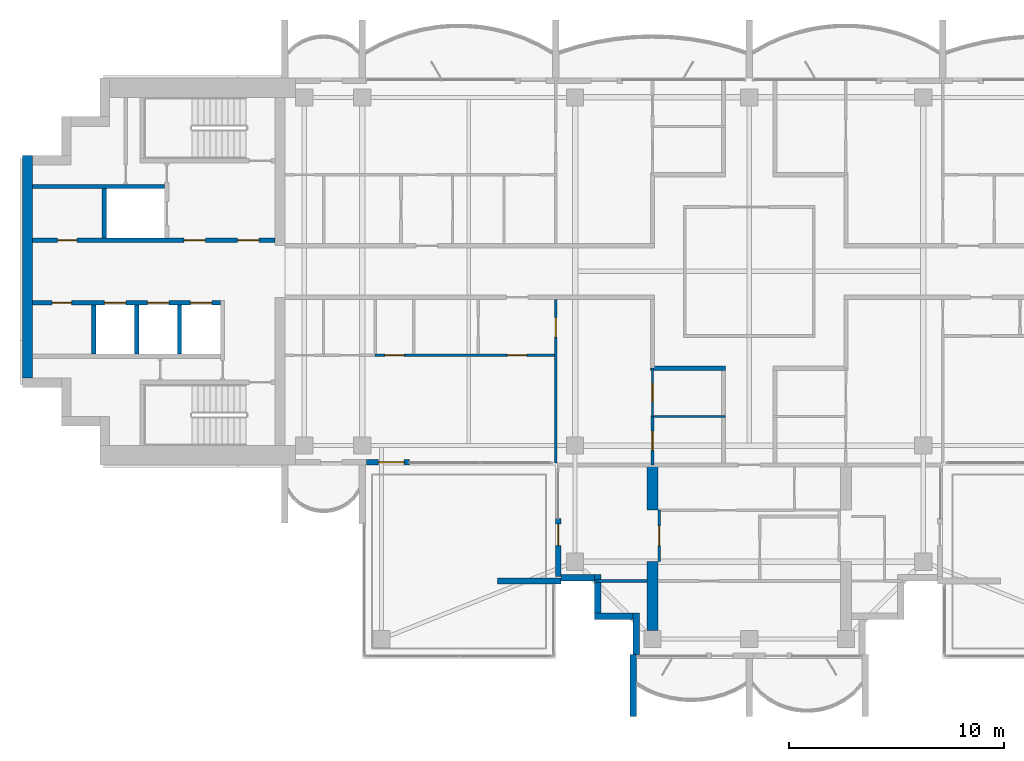
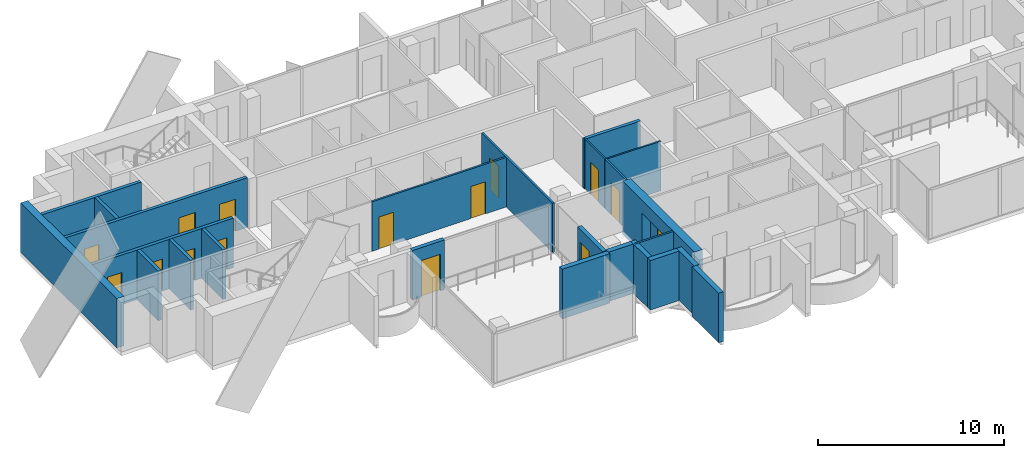
# One storey, part 7 of 16: 25 walls, 15 doors, 15 openings.
"""IFC4 building model written with IfcOpenShell, lengths in metres."""

from ifc_helpers import new_model, si_unit, direction, frame, frame_2d, origin, place, context, subcontext, project, spatial, polyline, rectangle, outline, extrude, material, layer, layer_set, material_profile, profile_set, type_object, element, fill, save


model = new_model("IFC4")

# Units and contexts
model_context = context("Model", 3, precision=1e-05, world=origin(), true_north=direction((0.0, 1.0)))
body_context = subcontext(model_context, "Body", "Model", "MODEL_VIEW")
ifc_project = project(units=[si_unit("LENGTHUNIT", "METRE"), si_unit("AREAUNIT", "SQUARE_METRE"), si_unit("VOLUMEUNIT", "CUBIC_METRE"), si_unit("PLANEANGLEUNIT", "RADIAN"), si_unit("MASSUNIT", "GRAM", prefix="KILO")], contexts=[model_context])

# Site, building, storey
site_placement = place(None, origin())
site = spatial("IfcSite", under=ifc_project, at=site_placement, CompositionType="ELEMENT")
building_placement = place(site_placement, origin())
building = spatial("IfcBuilding", under=site, at=building_placement, Name="Perihelion Cross Residences", CompositionType="ELEMENT")
storey_placement = place(building_placement, frame((0.0, 0.0, 239.5)))
storey = spatial("IfcBuildingStorey", under=building, at=storey_placement, Name="L60", CompositionType="ELEMENT", Elevation=239.5)

# Wall
ifc_material_1 = material(Name="Plasterboard partition")
ifc_layer_1 = layer(ifc_material_1, 0.199951171875)
ifc_layer_set_1 = layer_set([ifc_layer_1], Name="Apartment separation wall 200")
wall_type_1 = type_object("IfcWallType", Name="Apartment separation wall 200", PredefinedType="PARTITIONING", material=ifc_layer_set_1)
wall_1_placement = place(storey_placement, frame((-1.10009765625, -4.5, 0.0), z_axis=(0.0, 0.0, 1.0), x_axis=(-1.0, 0.0, 0.0)))
element("IfcWall", 1, at=wall_1_placement, inside=storey, type_object=wall_type_1, Name="Partition L60 W020", PredefinedType="PARTITIONING", context=body_context, shape_type="SweptSolid", body=[
    extrude(rectangle(XDim=3.5, YDim=0.199951171875, at=frame_2d((1.75, 0.0))), origin(), (0.0, 0.0, 1.0), 3.25),
])

# Wall, opening, door
ifc_material_2 = material(Name="Concrete C30/37, bronze-clad", Category="concrete")
ifc_layer_2 = layer(ifc_material_2, 0.25)
ifc_layer_set_2 = layer_set([ifc_layer_2], Name="Bronze-clad pier wall 250")
wall_type_2 = type_object("IfcWallType", Name="Bronze-clad pier wall 250", PredefinedType="SOLIDWALL", material=ifc_layer_set_2)
wall_2_placement = place(storey_placement, frame((-17.800048828125, -8.875, 0.0), z_axis=(0.0, 0.0, 1.0), x_axis=(1.0, 0.0, 0.0)))
wall_2 = element("IfcWall", 2, at=wall_2_placement, inside=storey, type_object=wall_type_2, Name="Wall FW1 L60 west side south bay 2 pier", PredefinedType="SOLIDWALL", context=body_context, shape_type="SweptSolid", body=[
    extrude(rectangle(XDim=2.0, YDim=0.25, at=frame_2d((1.0, 0.0))), origin(), (0.0, 0.0, 1.0), 3.25),
])
opening_1_placement = place(wall_2_placement, frame((0.550048828125, 0.0, 0.0)))
opening_1 = element("IfcOpeningElement", 3, at=opening_1_placement, cuts=wall_2, Name="Opening L60.E08", PredefinedType="OPENING", context=body_context, shape_type="SweptSolid", body=[
    extrude(rectangle(XDim=1.199951171875, YDim=2.39990234375, at=frame_2d((0.60009765625, 1.199951171875))), frame((0.0, 0.135009765625, 0.0), z_axis=(0.0, -1.0, 0.0), x_axis=(1.0, 0.0, 0.0)), (0.0, 0.0, 1.0), 0.27001953125),
])
ifc_material_3 = material(Name="Bronze anodised aluminium, glazed", Category="aluminium")
door_type_1 = type_object("IfcDoorType", Name="Balcony door 1200 x 2400", OperationType="NOTDEFINED", PredefinedType="DOOR", material=ifc_material_3)
door_1_placement = place(opening_1_placement, origin())
door_1 = element("IfcDoor", 4, at=door_1_placement, inside=storey, type_object=door_type_1, Name="Door L60.E08 west side south bay 2", OperationType="SINGLE_SWING_RIGHT", OverallHeight=2.39990234375, OverallWidth=1.199951171875, PredefinedType="DOOR", context=body_context, shape_type="SweptSolid", body=[
    extrude(rectangle(XDim=1.199951171875, YDim=2.39990234375, at=frame_2d((0.60009765625, 1.199951171875))), frame((0.0, 0.02490234375, 0.0), z_axis=(0.0, -1.0, 0.0), x_axis=(1.0, 0.0, 0.0)), (0.0, 0.0, 1.0), 0.050048828125),
])
fill(opening_1, door_1)

wall_3_placement = place(storey_placement, frame((-8.875, -11.5, 0.0), z_axis=(0.0, 0.0, 1.0), x_axis=(0.0, -1.0, 0.0)))
wall_3 = element("IfcWall", 5, at=wall_3_placement, inside=storey, type_object=wall_type_2, Name="Wall FW1 L60 south side west bay 1 pier", PredefinedType="SOLIDWALL", context=body_context, shape_type="SweptSolid", body=[
    extrude(rectangle(XDim=2.699951171875, YDim=0.25, at=frame_2d((1.35009765625, 0.0))), origin(), (0.0, 0.0, 1.0), 3.25),
])
opening_2_placement = place(wall_3_placement, frame((0.25, 0.0, 0.0)))
opening_2 = element("IfcOpeningElement", 6, at=opening_2_placement, cuts=wall_3, Name="Opening L60.E09", PredefinedType="OPENING", context=body_context, shape_type="SweptSolid", body=[
    extrude(rectangle(XDim=1.0, YDim=2.39990234375, at=frame_2d((0.5, 1.199951171875))), frame((0.0, 0.135009765625, 0.0), z_axis=(0.0, -1.0, 0.0), x_axis=(1.0, 0.0, 0.0)), (0.0, 0.0, 1.0), 0.27001953125),
])
ifc_material_4 = material(Name="Bronze anodised aluminium, glazed", Category="aluminium")
door_type_2 = type_object("IfcDoorType", Name="Balcony door 1000 x 2400", OperationType="NOTDEFINED", PredefinedType="DOOR", material=ifc_material_4)
door_2_placement = place(opening_2_placement, origin())
door_2 = element("IfcDoor", 7, at=door_2_placement, inside=storey, type_object=door_type_2, Name="Door L60.E09 south side west bay 1", OperationType="SINGLE_SWING_LEFT", OverallHeight=2.39990234375, OverallWidth=1.0, PredefinedType="DOOR", context=body_context, shape_type="SweptSolid", body=[
    extrude(rectangle(XDim=1.0, YDim=2.39990234375, at=frame_2d((0.5, 1.199951171875))), frame((0.0, 0.02490234375, 0.0), z_axis=(0.0, -1.0, 0.0), x_axis=(1.0, 0.0, 0.0)), (0.0, 0.0, 1.0), 0.050048828125),
])
fill(opening_2, door_2)

# Walls
ifc_material_5 = material(Name="Concrete C30/37, bronze-clad", Category="concrete")
ifc_layer_3 = layer(ifc_material_5, 0.300048828125)
ifc_layer_set_3 = layer_set([ifc_layer_3], Name="Bronze-clad serration wall 300")
wall_type_3 = type_object("IfcWallType", Name="Bronze-clad serration wall 300", PredefinedType="SOLIDWALL", material=ifc_layer_set_3)
wall_4_placement = place(storey_placement, frame((-8.75, -14.25, 0.0), z_axis=(0.0, 0.0, 1.0), x_axis=(1.0, 0.0, 0.0)))
element("IfcWall", 8, at=wall_4_placement, inside=storey, type_object=wall_type_3, Name="Wall SR1 L60 south corner south-west 1", PredefinedType="SOLIDWALL", context=body_context, shape_type="SweptSolid", body=[
    extrude(rectangle(XDim=1.550048828125, YDim=0.300048828125, at=frame_2d((0.77490234375, 0.0))), origin(), (0.0, 0.0, 1.0), 3.25),
])
wall_5_placement = place(storey_placement, frame((-7.050048828125, -14.10009765625, 0.0), z_axis=(0.0, 0.0, 1.0), x_axis=(0.0, -1.0, 0.0)))
element("IfcWall", 9, at=wall_5_placement, inside=storey, type_object=wall_type_3, Name="Wall SR1 L60 south corner south-west 2", PredefinedType="SOLIDWALL", context=body_context, shape_type="SweptSolid", body=[
    extrude(rectangle(XDim=1.7998046875, YDim=0.300048828125, at=frame_2d((0.89990234375, 0.0))), origin(), (0.0, 0.0, 1.0), 3.25),
])
wall_6_placement = place(storey_placement, frame((-7.199951171875, -16.050048828125, 0.0), z_axis=(0.0, 0.0, 1.0), x_axis=(1.0, 0.0, 0.0)))
element("IfcWall", 10, at=wall_6_placement, inside=storey, type_object=wall_type_3, Name="Wall SR1 L60 south corner south-west 3", PredefinedType="SOLIDWALL", context=body_context, shape_type="SweptSolid", body=[
    extrude(rectangle(XDim=1.800048828125, YDim=0.300048828125, at=frame_2d((0.89990234375, 0.0))), origin(), (0.0, 0.0, 1.0), 3.25),
])
wall_7_placement = place(storey_placement, frame((-5.25, -15.89990234375, 0.0), z_axis=(0.0, 0.0, 1.0), x_axis=(0.0, -1.0, 0.0)))
element("IfcWall", 11, at=wall_7_placement, inside=storey, type_object=wall_type_3, Name="Wall SR1 L60 south corner south-west 4", PredefinedType="SOLIDWALL", context=body_context, shape_type="SweptSolid", body=[
    extrude(rectangle(XDim=1.920166015625, YDim=0.300048828125, at=frame_2d((0.9599609375, 0.0))), origin(), (0.0, 0.0, 1.0), 3.25),
])
ifc_material_6 = material(Name="Concrete C60/75", Category="concrete")
ifc_layer_4 = layer(ifc_material_6, 0.449951171875)
ifc_layer_set_4 = layer_set([ifc_layer_4], Name="Core wall, outer 450")
wall_type_4 = type_object("IfcWallType", Name="Core wall, outer 450", PredefinedType="SHEAR", material=ifc_layer_set_4)
wall_8_placement = place(storey_placement, frame((-33.574951171875, -4.949951171875, 0.0), z_axis=(0.0, 0.0, 1.0), x_axis=(0.0, 1.0, 0.0)))
element("IfcWall", 12, at=wall_8_placement, inside=storey, type_object=wall_type_4, Name="West core core wall, outer", PredefinedType="SHEAR", context=body_context, shape_type="SweptSolid", body=[
    extrude(rectangle(XDim=10.349853515625, YDim=0.449951171875, at=frame_2d((5.1748046875, 0.0))), origin(), (0.0, 0.0, 1.0), 3.25),
])

# Wall, opening, door
ifc_material_7 = material(Name="Plasterboard partition")
ifc_layer_5 = layer(ifc_material_7, 0.1201171875)
ifc_layer_set_5 = layer_set([ifc_layer_5], Name="Infill panel 120")
wall_type_5 = type_object("IfcWallType", Name="Infill panel 120", PredefinedType="PARTITIONING", material=ifc_layer_set_5)
wall_9_placement = place(storey_placement, frame((-4.18994140625, -11.10009765625, 0.0), z_axis=(0.0, 0.0, 1.0), x_axis=(0.0, -1.0, 0.0)))
wall_9 = element("IfcWall", 13, at=wall_9_placement, inside=storey, type_object=wall_type_5, Name="Partition L60 WI02", PredefinedType="PARTITIONING", context=body_context, shape_type="SweptSolid", body=[
    extrude(rectangle(XDim=2.39990234375, YDim=0.1201171875, at=frame_2d((1.199951171875, 0.0))), origin(), (0.0, 0.0, 1.0), 2.39990234375),
])
opening_3_placement = place(wall_9_placement, frame((0.75, 0.0, 0.0)))
opening_3 = element("IfcOpeningElement", 14, at=opening_3_placement, cuts=wall_9, Name="Opening L60.A44", PredefinedType="OPENING", context=body_context, shape_type="SweptSolid", body=[
    extrude(rectangle(XDim=0.89990234375, YDim=2.10009765625, at=frame_2d((0.449951171875, 1.050048828125))), frame((0.0, 0.070068359375, 0.0), z_axis=(0.0, -1.0, 0.0), x_axis=(1.0, 0.0, 0.0)), (0.0, 0.0, 1.0), 0.14013671875),
])
ifc_material_8 = material(Name="Timber door leaf", Category="wood")
door_type_3 = type_object("IfcDoorType", Name="Interior room door 900 x 2100", OperationType="SINGLE_SWING_LEFT", PredefinedType="DOOR", material=ifc_material_8)
door_3_placement = place(opening_3_placement, origin())
door_3 = element("IfcDoor", 15, at=door_3_placement, inside=storey, type_object=door_type_3, Name="Door L60.A44", OperationType="SINGLE_SWING_RIGHT", OverallHeight=2.10009765625, OverallWidth=0.89990234375, PredefinedType="DOOR", context=body_context, shape_type="SweptSolid", body=[
    extrude(rectangle(XDim=0.89990234375, YDim=2.10009765625, at=frame_2d((0.449951171875, 1.050048828125))), frame((0.0, 0.02490234375, 0.0), z_axis=(0.0, -1.0, 0.0), x_axis=(1.0, 0.0, 0.0)), (0.0, 0.0, 1.0), 0.050048828125),
])
fill(opening_3, door_3)

# Wall, openings, doors
ifc_material_9 = material(Name="Plasterboard partition")
ifc_layer_6 = layer(ifc_material_9, 0.1201171875)
ifc_layer_set_6 = layer_set([ifc_layer_6], Name="Partition wall 120")
wall_type_6 = type_object("IfcWallType", Name="Partition wall 120", PredefinedType="PARTITIONING", material=ifc_layer_set_6)
wall_10_placement = place(storey_placement, frame((-8.93994140625, -3.89990234375, 0.0), z_axis=(0.0, 0.0, 1.0), x_axis=(-1.0, 0.0, 0.0)))
wall_10 = element("IfcWall", 16, at=wall_10_placement, inside=storey, type_object=wall_type_6, Name="Partition L60 W055", PredefinedType="PARTITIONING", context=body_context, shape_type="SweptSolid", body=[
    extrude(rectangle(XDim=8.4599609375, YDim=0.1201171875, at=frame_2d((4.22998046875, 0.0))), origin(), (0.0, 0.0, 1.0), 3.25),
])
opening_4_placement = place(wall_10_placement, frame((7.110107421875, 0.0, 0.0)))
opening_4 = element("IfcOpeningElement", 17, at=opening_4_placement, cuts=wall_10, Name="Opening L60.A28", PredefinedType="OPENING", context=body_context, shape_type="SweptSolid", body=[
    extrude(rectangle(XDim=0.89990234375, YDim=2.10009765625, at=frame_2d((0.449951171875, 1.050048828125))), frame((0.0, 0.070068359375, 0.0), z_axis=(0.0, -1.0, 0.0), x_axis=(1.0, 0.0, 0.0)), (0.0, 0.0, 1.0), 0.14013671875),
])
opening_5_placement = place(wall_10_placement, frame((1.409912109375, 0.0, 0.0)))
opening_5 = element("IfcOpeningElement", 18, at=opening_5_placement, cuts=wall_10, Name="Opening L60.A32", PredefinedType="OPENING", context=body_context, shape_type="SweptSolid", body=[
    extrude(rectangle(XDim=0.89990234375, YDim=2.10009765625, at=frame_2d((0.449951171875, 1.050048828125))), frame((0.0, 0.070068359375, 0.0), z_axis=(0.0, -1.0, 0.0), x_axis=(1.0, 0.0, 0.0)), (0.0, 0.0, 1.0), 0.14013671875),
])
door_4_placement = place(opening_4_placement, origin())
door_4 = element("IfcDoor", 19, at=door_4_placement, inside=storey, type_object=door_type_3, Name="Door L60.A28", OperationType="SINGLE_SWING_LEFT", OverallHeight=2.10009765625, OverallWidth=0.89990234375, PredefinedType="DOOR", context=body_context, shape_type="SweptSolid", body=[
    extrude(rectangle(XDim=0.89990234375, YDim=2.10009765625, at=frame_2d((0.449951171875, 1.050048828125))), frame((0.0, 0.02490234375, 0.0), z_axis=(0.0, -1.0, 0.0), x_axis=(1.0, 0.0, 0.0)), (0.0, 0.0, 1.0), 0.050048828125),
])
fill(opening_4, door_4)
door_5_placement = place(opening_5_placement, origin())
door_5 = element("IfcDoor", 20, at=door_5_placement, inside=storey, type_object=door_type_3, Name="Door L60.A32", OperationType="SINGLE_SWING_LEFT", OverallHeight=2.10009765625, OverallWidth=0.89990234375, PredefinedType="DOOR", context=body_context, shape_type="SweptSolid", body=[
    extrude(rectangle(XDim=0.89990234375, YDim=2.10009765625, at=frame_2d((0.449951171875, 1.050048828125))), frame((0.0, 0.02490234375, 0.0), z_axis=(0.0, -1.0, 0.0), x_axis=(1.0, 0.0, 0.0)), (0.0, 0.0, 1.0), 0.050048828125),
])
fill(opening_5, door_5)

# Wall, opening, door
wall_11_placement = place(storey_placement, frame((-9.0, -1.300048828125, 0.0), z_axis=(0.0, 0.0, 1.0), x_axis=(0.0, -1.0, 0.0)))
wall_11 = element("IfcWall", 21, at=wall_11_placement, inside=storey, type_object=wall_type_6, Name="Partition L60 W056", PredefinedType="PARTITIONING", context=body_context, shape_type="SweptSolid", body=[
    extrude(rectangle(XDim=7.619873046875, YDim=0.1201171875, at=frame_2d((3.81005859375, 0.0))), origin(), (0.0, 0.0, 1.0), 3.25),
])
opening_6_placement = place(wall_11_placement, frame((0.85009765625, 0.0, 0.0)))
opening_6 = element("IfcOpeningElement", 22, at=opening_6_placement, cuts=wall_11, Name="Opening L60.A30", PredefinedType="OPENING", context=body_context, shape_type="SweptSolid", body=[
    extrude(rectangle(XDim=0.89990234375, YDim=2.10009765625, at=frame_2d((0.449951171875, 1.050048828125))), frame((0.0, 0.070068359375, 0.0), z_axis=(0.0, -1.0, 0.0), x_axis=(1.0, 0.0, 0.0)), (0.0, 0.0, 1.0), 0.14013671875),
])
door_6_placement = place(opening_6_placement, origin())
door_6 = element("IfcDoor", 23, at=door_6_placement, inside=storey, type_object=door_type_3, Name="Door L60.A30", OperationType="SINGLE_SWING_RIGHT", OverallHeight=2.10009765625, OverallWidth=0.89990234375, PredefinedType="DOOR", context=body_context, shape_type="SweptSolid", body=[
    extrude(rectangle(XDim=0.89990234375, YDim=2.10009765625, at=frame_2d((0.449951171875, 1.050048828125))), frame((0.0, 0.02490234375, 0.0), z_axis=(0.0, -1.0, 0.0), x_axis=(1.0, 0.0, 0.0)), (0.0, 0.0, 1.0), 0.050048828125),
])
fill(opening_6, door_6)

wall_12_placement = place(storey_placement, frame((-4.5, -6.75, 0.0), z_axis=(0.0, 0.0, 1.0), x_axis=(0.0, -1.0, 0.0)))
wall_12 = element("IfcWall", 24, at=wall_12_placement, inside=storey, type_object=wall_type_6, Name="Partition L60 W063", PredefinedType="PARTITIONING", context=body_context, shape_type="SweptSolid", body=[
    extrude(rectangle(XDim=2.25, YDim=0.1201171875, at=frame_2d((1.125, 0.0))), origin(), (0.0, 0.0, 1.0), 3.25),
])
opening_7_placement = place(wall_12_placement, frame((0.675048828125, 0.0, 0.0)))
opening_7 = element("IfcOpeningElement", 25, at=opening_7_placement, cuts=wall_12, Name="Opening L60.A29", PredefinedType="OPENING", context=body_context, shape_type="SweptSolid", body=[
    extrude(rectangle(XDim=0.89990234375, YDim=2.10009765625, at=frame_2d((0.449951171875, 1.050048828125))), frame((0.0, 0.070068359375, 0.0), z_axis=(0.0, -1.0, 0.0), x_axis=(1.0, 0.0, 0.0)), (0.0, 0.0, 1.0), 0.14013671875),
])
door_7_placement = place(opening_7_placement, origin())
door_7 = element("IfcDoor", 26, at=door_7_placement, inside=storey, type_object=door_type_3, Name="Door L60.A29", OperationType="SINGLE_SWING_LEFT", OverallHeight=2.10009765625, OverallWidth=0.89990234375, PredefinedType="DOOR", context=body_context, shape_type="SweptSolid", body=[
    extrude(rectangle(XDim=0.89990234375, YDim=2.10009765625, at=frame_2d((0.449951171875, 1.050048828125))), frame((0.0, 0.02490234375, 0.0), z_axis=(0.0, -1.0, 0.0), x_axis=(1.0, 0.0, 0.0)), (0.0, 0.0, 1.0), 0.050048828125),
])
fill(opening_7, door_7)

# Walls
wall_13_placement = place(storey_placement, frame((-4.75, -14.39990234375, 0.0), z_axis=(0.0, 0.0, 1.0), x_axis=(-1.0, 0.0, 0.0)))
element("IfcWall", 27, at=wall_13_placement, inside=storey, type_object=wall_type_6, Name="Partition L60 W075", PredefinedType="PARTITIONING", context=body_context, shape_type="SweptSolid", body=[
    extrude(rectangle(XDim=2.3701171875, YDim=0.1201171875, at=frame_2d((1.18505859375, 0.0))), origin(), (0.0, 0.0, 1.0), 3.25),
])
ifc_material_10 = material(Name="Precast concrete C50/60", Category="concrete")
ifc_layer_7 = layer(ifc_material_10, 0.300048828125)
ifc_layer_set_7 = layer_set([ifc_layer_7], Name="Precast concrete C50/60 blade wall 300")
wall_type_7 = type_object("IfcWallType", Name="Precast concrete C50/60 blade wall 300", PredefinedType="SOLIDWALL", material=ifc_layer_set_7)
wall_14_placement = place(storey_placement, frame((-8.75, -14.39990234375, 0.0), z_axis=(0.0, 0.0, 1.0), x_axis=(-1.0, 0.0, 0.0)))
element("IfcWall", 28, at=wall_14_placement, inside=storey, type_object=wall_type_7, Name="Wall BL1 L60 no. 6", PredefinedType="SOLIDWALL", context=body_context, shape_type="SweptSolid", body=[
    extrude(rectangle(XDim=2.949951171875, YDim=0.300048828125, at=frame_2d((1.47509765625, 0.0))), origin(), (0.0, 0.0, 1.0), 3.25),
])
wall_15_placement = place(storey_placement, frame((-5.39990234375, -17.820068359375, 0.0), z_axis=(0.0, 0.0, 1.0), x_axis=(0.0, -1.0, 0.0)))
element("IfcWall", 29, at=wall_15_placement, inside=storey, type_object=wall_type_7, Name="Wall BL1 L60 no. 5", PredefinedType="SOLIDWALL", context=body_context, shape_type="SweptSolid", body=[
    extrude(rectangle(XDim=2.8798828125, YDim=0.300048828125, at=frame_2d((1.43994140625, 0.0))), origin(), (0.0, 0.0, 1.0), 3.25),
])

# Wall, openings, doors
ifc_material_11 = material(Name="Concrete C50/60", Category="concrete")
ifc_layer_8 = layer(ifc_material_11, 0.199951171875)
ifc_layer_set_8 = layer_set([ifc_layer_8], Name="Shaft wall 200")
wall_type_8 = type_object("IfcWallType", Name="Shaft wall 200", PredefinedType="SOLIDWALL", material=ifc_layer_set_8)
wall_16_placement = place(storey_placement, frame((-33.35009765625, 1.449951171875, 0.0), z_axis=(0.0, 0.0, 1.0), x_axis=(1.0, 0.0, 0.0)))
wall_16 = element("IfcWall", 30, at=wall_16_placement, inside=storey, type_object=wall_type_8, Name="West core shaft wall", PredefinedType="SOLIDWALL", context=body_context, shape_type="SweptSolid", body=[
    extrude(rectangle(XDim=11.300048828125, YDim=0.199951171875, at=frame_2d((5.64990234375, 0.0))), origin(), (0.0, 0.0, 1.0), 3.25),
])
opening_8_placement = place(wall_16_placement, frame((9.550048828125, 0.0, 0.0)))
opening_8 = element("IfcOpeningElement", 31, at=opening_8_placement, cuts=wall_16, Name="Opening L60.C21", PredefinedType="OPENING", context=body_context, shape_type="SweptSolid", body=[
    extrude(rectangle(XDim=1.0, YDim=2.10009765625, at=frame_2d((0.5, 1.050048828125))), frame((0.0, 0.10986328125, 0.0), z_axis=(0.0, -1.0, 0.0), x_axis=(1.0, 0.0, 0.0)), (0.0, 0.0, 1.0), 0.219970703125),
])
opening_9_placement = place(wall_16_placement, frame((7.050048828125, 0.0, 0.0)))
opening_9 = element("IfcOpeningElement", 32, at=opening_9_placement, cuts=wall_16, Name="Opening L60.C23", PredefinedType="OPENING", context=body_context, shape_type="SweptSolid", body=[
    extrude(rectangle(XDim=1.0, YDim=2.10009765625, at=frame_2d((0.5, 1.050048828125))), frame((0.0, 0.10986328125, 0.0), z_axis=(0.0, -1.0, 0.0), x_axis=(1.0, 0.0, 0.0)), (0.0, 0.0, 1.0), 0.219970703125),
])
opening_10_placement = place(wall_16_placement, frame((1.175048828125, 0.0, 0.0)))
opening_10 = element("IfcOpeningElement", 33, at=opening_10_placement, cuts=wall_16, Name="Opening L60.C27", PredefinedType="OPENING", context=body_context, shape_type="SweptSolid", body=[
    extrude(rectangle(XDim=0.89990234375, YDim=2.10009765625, at=frame_2d((0.449951171875, 1.050048828125))), frame((0.0, 0.10986328125, 0.0), z_axis=(0.0, -1.0, 0.0), x_axis=(1.0, 0.0, 0.0)), (0.0, 0.0, 1.0), 0.219970703125),
])
ifc_material_12 = material(Name="Steel, powder coated", Category="steel")
door_type_4 = type_object("IfcDoorType", Name="Lobby door 1000", OperationType="SINGLE_SWING_LEFT", PredefinedType="DOOR", material=ifc_material_12)
door_8_placement = place(opening_8_placement, origin())
door_8 = element("IfcDoor", 34, at=door_8_placement, inside=storey, type_object=door_type_4, Name="West core firefighting lobby door", OperationType="SINGLE_SWING_LEFT", OverallHeight=2.10009765625, OverallWidth=1.0, PredefinedType="DOOR", context=body_context, shape_type="SweptSolid", body=[
    extrude(rectangle(XDim=1.0, YDim=2.10009765625, at=frame_2d((0.5, 1.050048828125))), frame((0.0, 0.02490234375, 0.0), z_axis=(0.0, -1.0, 0.0), x_axis=(1.0, 0.0, 0.0)), (0.0, 0.0, 1.0), 0.050048828125),
])
fill(opening_8, door_8)
door_9_placement = place(opening_9_placement, origin())
door_9 = element("IfcDoor", 35, at=door_9_placement, inside=storey, type_object=door_type_4, Name="West core firefighting lobby door", OperationType="SINGLE_SWING_LEFT", OverallHeight=2.10009765625, OverallWidth=1.0, PredefinedType="DOOR", context=body_context, shape_type="SweptSolid", body=[
    extrude(rectangle(XDim=1.0, YDim=2.10009765625, at=frame_2d((0.5, 1.050048828125))), frame((0.0, 0.02490234375, 0.0), z_axis=(0.0, -1.0, 0.0), x_axis=(1.0, 0.0, 0.0)), (0.0, 0.0, 1.0), 0.050048828125),
])
fill(opening_9, door_9)
ifc_material_13 = material(Name="Steel, powder coated", Category="steel")
door_type_5 = type_object("IfcDoorType", Name="Service room door 900", OperationType="SINGLE_SWING_LEFT", PredefinedType="DOOR", material=ifc_material_13)
door_10_placement = place(opening_10_placement, origin())
door_10 = element("IfcDoor", 36, at=door_10_placement, inside=storey, type_object=door_type_5, Name="West core service room door", OperationType="SINGLE_SWING_LEFT", OverallHeight=2.10009765625, OverallWidth=0.89990234375, PredefinedType="DOOR", context=body_context, shape_type="SweptSolid", body=[
    extrude(rectangle(XDim=0.89990234375, YDim=2.10009765625, at=frame_2d((0.449951171875, 1.050048828125))), frame((0.0, 0.02490234375, 0.0), z_axis=(0.0, -1.0, 0.0), x_axis=(1.0, 0.0, 0.0)), (0.0, 0.0, 1.0), 0.050048828125),
])
fill(opening_10, door_10)

wall_17_placement = place(storey_placement, frame((-33.35009765625, -1.449951171875, 0.0), z_axis=(0.0, 0.0, 1.0), x_axis=(1.0, 0.0, 0.0)))
wall_17 = element("IfcWall", 37, at=wall_17_placement, inside=storey, type_object=wall_type_8, Name="West core shaft wall", PredefinedType="SOLIDWALL", context=body_context, shape_type="SweptSolid", body=[
    extrude(rectangle(XDim=8.75, YDim=0.199951171875, at=frame_2d((4.375, 0.0))), origin(), (0.0, 0.0, 1.0), 3.25),
])
opening_11_placement = place(wall_17_placement, frame((7.35009765625, 0.0, 0.0)))
opening_11 = element("IfcOpeningElement", 38, at=opening_11_placement, cuts=wall_17, Name="Opening L60.C15", PredefinedType="OPENING", context=body_context, shape_type="SweptSolid", body=[
    extrude(rectangle(XDim=1.0, YDim=2.10009765625, at=frame_2d((0.5, 1.050048828125))), frame((0.0, 0.10986328125, 0.0), z_axis=(0.0, -1.0, 0.0), x_axis=(1.0, 0.0, 0.0)), (0.0, 0.0, 1.0), 0.219970703125),
])
opening_12_placement = place(wall_17_placement, frame((5.35009765625, 0.0, 0.0)))
opening_12 = element("IfcOpeningElement", 39, at=opening_12_placement, cuts=wall_17, Name="Opening L60.C17", PredefinedType="OPENING", context=body_context, shape_type="SweptSolid", body=[
    extrude(rectangle(XDim=1.0, YDim=2.10009765625, at=frame_2d((0.5, 1.050048828125))), frame((0.0, 0.10986328125, 0.0), z_axis=(0.0, -1.0, 0.0), x_axis=(1.0, 0.0, 0.0)), (0.0, 0.0, 1.0), 0.219970703125),
])
opening_13_placement = place(wall_17_placement, frame((3.35009765625, 0.0, 0.0)))
opening_13 = element("IfcOpeningElement", 40, at=opening_13_placement, cuts=wall_17, Name="Opening L60.C18", PredefinedType="OPENING", context=body_context, shape_type="SweptSolid", body=[
    extrude(rectangle(XDim=1.0, YDim=2.10009765625, at=frame_2d((0.5, 1.050048828125))), frame((0.0, 0.10986328125, 0.0), z_axis=(0.0, -1.0, 0.0), x_axis=(1.0, 0.0, 0.0)), (0.0, 0.0, 1.0), 0.219970703125),
])
opening_14_placement = place(wall_17_placement, frame((0.925048828125, 0.0, 0.0)))
opening_14 = element("IfcOpeningElement", 41, at=opening_14_placement, cuts=wall_17, Name="Opening L60.C28", PredefinedType="OPENING", context=body_context, shape_type="SweptSolid", body=[
    extrude(rectangle(XDim=0.89990234375, YDim=2.10009765625, at=frame_2d((0.449951171875, 1.050048828125))), frame((0.0, 0.10986328125, 0.0), z_axis=(0.0, -1.0, 0.0), x_axis=(1.0, 0.0, 0.0)), (0.0, 0.0, 1.0), 0.219970703125),
])
ifc_material_14 = material(Name="Stainless steel", Category="steel")
door_type_6 = type_object("IfcDoorType", Name="Landing door 1000", OperationType="DOUBLE_DOOR_SLIDING", PredefinedType="DOOR", material=ifc_material_14)
door_11_placement = place(opening_11_placement, origin())
door_11 = element("IfcDoor", 42, at=door_11_placement, inside=storey, type_object=door_type_6, Name="Landing door, West core high-rise lift 1", OperationType="DOUBLE_DOOR_SLIDING", OverallHeight=2.10009765625, OverallWidth=1.0, PredefinedType="DOOR", context=body_context, shape_type="SweptSolid", body=[
    extrude(rectangle(XDim=1.0, YDim=2.10009765625, at=frame_2d((0.5, 1.050048828125))), frame((0.0, 0.02490234375, 0.0), z_axis=(0.0, -1.0, 0.0), x_axis=(1.0, 0.0, 0.0)), (0.0, 0.0, 1.0), 0.050048828125),
])
fill(opening_11, door_11)
door_12_placement = place(opening_12_placement, origin())
door_12 = element("IfcDoor", 43, at=door_12_placement, inside=storey, type_object=door_type_6, Name="Landing door, West core high-rise lift 2", OperationType="DOUBLE_DOOR_SLIDING", OverallHeight=2.10009765625, OverallWidth=1.0, PredefinedType="DOOR", context=body_context, shape_type="SweptSolid", body=[
    extrude(rectangle(XDim=1.0, YDim=2.10009765625, at=frame_2d((0.5, 1.050048828125))), frame((0.0, 0.02490234375, 0.0), z_axis=(0.0, -1.0, 0.0), x_axis=(1.0, 0.0, 0.0)), (0.0, 0.0, 1.0), 0.050048828125),
])
fill(opening_12, door_12)
door_13_placement = place(opening_13_placement, origin())
door_13 = element("IfcDoor", 44, at=door_13_placement, inside=storey, type_object=door_type_6, Name="Landing door, West core high-rise lift 3", OperationType="DOUBLE_DOOR_SLIDING", OverallHeight=2.10009765625, OverallWidth=1.0, PredefinedType="DOOR", context=body_context, shape_type="SweptSolid", body=[
    extrude(rectangle(XDim=1.0, YDim=2.10009765625, at=frame_2d((0.5, 1.050048828125))), frame((0.0, 0.02490234375, 0.0), z_axis=(0.0, -1.0, 0.0), x_axis=(1.0, 0.0, 0.0)), (0.0, 0.0, 1.0), 0.050048828125),
])
fill(opening_13, door_13)
door_14_placement = place(opening_14_placement, origin())
door_14 = element("IfcDoor", 45, at=door_14_placement, inside=storey, type_object=door_type_5, Name="West core service room door", OperationType="SINGLE_SWING_LEFT", OverallHeight=2.10009765625, OverallWidth=0.89990234375, PredefinedType="DOOR", context=body_context, shape_type="SweptSolid", body=[
    extrude(rectangle(XDim=0.89990234375, YDim=2.10009765625, at=frame_2d((0.449951171875, 1.050048828125))), frame((0.0, 0.02490234375, 0.0), z_axis=(0.0, -1.0, 0.0), x_axis=(1.0, 0.0, 0.0)), (0.0, 0.0, 1.0), 0.050048828125),
])
fill(opening_14, door_14)

# Walls
wall_18_placement = place(storey_placement, frame((-33.35009765625, 3.949951171875, 0.0), z_axis=(0.0, 0.0, 1.0), x_axis=(1.0, 0.0, 0.0)))
element("IfcWall", 46, at=wall_18_placement, inside=storey, type_object=wall_type_8, Name="West core shaft wall", PredefinedType="SOLIDWALL", context=body_context, shape_type="SweptSolid", body=[
    extrude(rectangle(XDim=6.150146484375, YDim=0.199951171875, at=frame_2d((3.0751953125, 0.0))), origin(), (0.0, 0.0, 1.0), 3.25),
])
for number, where, z_axis, x_axis, name in (
    (47, (-30.0, 1.550048828125, 0.0), (0.0, 0.0, 1.0), (0.0, 1.0, 0.0), "West core shaft wall"),
    (48, (-26.5, -3.85009765625, 0.0), (0.0, 0.0, 1.0), (0.0, 1.0, 0.0), "West core shaft wall"),
    (49, (-28.5, -3.85009765625, 0.0), (0.0, 0.0, 1.0), (0.0, 1.0, 0.0), "West core shaft wall"),
    (50, (-30.5, -3.85009765625, 0.0), (0.0, 0.0, 1.0), (0.0, 1.0, 0.0), "West core shaft wall"),
):
    element("IfcWall", number, at=place(storey_placement, frame(where, z_axis=z_axis, x_axis=x_axis)), inside=storey, type_object=wall_type_8, Name=name, PredefinedType="SOLIDWALL", context=body_context, shape_type="SweptSolid", body=[
        extrude(rectangle(XDim=2.300048828125, YDim=0.199951171875, at=frame_2d((1.14990234375, 0.0))), origin(), (0.0, 0.0, 1.0), 3.25),
    ])
ifc_material_15 = material(Name="Concrete C50/60", Category="concrete")
ifc_material_profile = material_profile(ifc_material_15, outline(polyline([(0.0, 0.0), (3.199951171875, 0.0), (3.199951171875, 2.64990234375), (5.60009765625, 2.64990234375), (5.60009765625, 0.0), (7.699951171875, 0.0), (7.699951171875, 3.5), (0.0, 3.5), (0.0, 0.0)])), Name="Tip spine wall")
ifc_profile_set = profile_set([ifc_material_profile], Name="Concrete C50/60")
wall_type_9 = type_object("IfcWallType", Name="Tip spine wall 500 with 1 door openings 7700 long 3500 high concrete C50/60", PredefinedType="SHEAR", material=ifc_profile_set)
wall_19_placement = place(storey_placement, frame((-4.75, -16.699951171875, -0.25), z_axis=(1.0, 0.0, 0.0), x_axis=(0.0, 1.0, 0.0)))
element("IfcWall", 51, at=wall_19_placement, inside=storey, type_object=wall_type_9, Name="Shear wall SW45 L60 south west", PredefinedType="SHEAR", context=body_context, shape_type="SweptSolid", body=[
    extrude(outline(polyline([(0.0, 0.0), (3.199951171875, 0.0), (3.199951171875, 2.64990234375), (5.60009765625, 2.64990234375), (5.60009765625, 0.0), (7.699951171875, 0.0), (7.699951171875, 3.5), (0.0, 3.5), (0.0, 0.0)])), origin(), (0.0, 0.0, 1.0), 0.5),
])

# Wall, opening, door
ifc_material_16 = material(Name="Plasterboard partition")
ifc_layer_9 = layer(ifc_material_16, 0.10009765625)
ifc_layer_set_9 = layer_set([ifc_layer_9], Name="Wet room wall 100")
wall_type_10 = type_object("IfcWallType", Name="Wet room wall 100", PredefinedType="PARTITIONING", material=ifc_layer_set_9)
wall_20_placement = place(storey_placement, frame((-4.5, -4.5, 0.0), z_axis=(0.0, 0.0, 1.0), x_axis=(0.0, -1.0, 0.0)))
wall_20 = element("IfcWall", 52, at=wall_20_placement, inside=storey, type_object=wall_type_10, Name="Partition L60 W062", PredefinedType="PARTITIONING", context=body_context, shape_type="SweptSolid", body=[
    extrude(rectangle(XDim=2.25, YDim=0.10009765625, at=frame_2d((1.125, 0.0))), origin(), (0.0, 0.0, 1.0), 3.25),
])
opening_15_placement = place(wall_20_placement, frame((0.699951171875, 0.0, 0.0)))
opening_15 = element("IfcOpeningElement", 53, at=opening_15_placement, cuts=wall_20, Name="Opening L60.A31", PredefinedType="OPENING", context=body_context, shape_type="SweptSolid", body=[
    extrude(rectangle(XDim=0.85009765625, YDim=2.10009765625, at=frame_2d((0.425048828125, 1.050048828125))), frame((0.0, 0.06005859375, 0.0), z_axis=(0.0, -1.0, 0.0), x_axis=(1.0, 0.0, 0.0)), (0.0, 0.0, 1.0), 0.1201171875),
])
ifc_material_17 = material(Name="Timber door leaf", Category="wood")
door_type_7 = type_object("IfcDoorType", Name="Interior bathroom door 850 x 2100", OperationType="SINGLE_SWING_LEFT", PredefinedType="DOOR", material=ifc_material_17)
door_15_placement = place(opening_15_placement, origin())
door_15 = element("IfcDoor", 54, at=door_15_placement, inside=storey, type_object=door_type_7, Name="Door L60.A31", OperationType="SINGLE_SWING_LEFT", OverallHeight=2.10009765625, OverallWidth=0.85009765625, PredefinedType="DOOR", context=body_context, shape_type="SweptSolid", body=[
    extrude(rectangle(XDim=0.85009765625, YDim=2.10009765625, at=frame_2d((0.425048828125, 1.050048828125))), frame((0.0, 0.02490234375, 0.0), z_axis=(0.0, -1.0, 0.0), x_axis=(1.0, 0.0, 0.0)), (0.0, 0.0, 1.0), 0.050048828125),
])
fill(opening_15, door_15)

# Wall
wall_21_placement = place(storey_placement, frame((-1.10009765625, -6.75, 0.0), z_axis=(0.0, 0.0, 1.0), x_axis=(-1.0, 0.0, 0.0)))
element("IfcWall", 55, at=wall_21_placement, inside=storey, type_object=wall_type_10, Name="Partition L60 W064", PredefinedType="PARTITIONING", context=body_context, shape_type="SweptSolid", body=[
    extrude(rectangle(XDim=3.4599609375, YDim=0.10009765625, at=frame_2d((1.72998046875, 0.0))), origin(), (0.0, 0.0, 1.0), 3.25),
])

save(model, "model.ifc")
